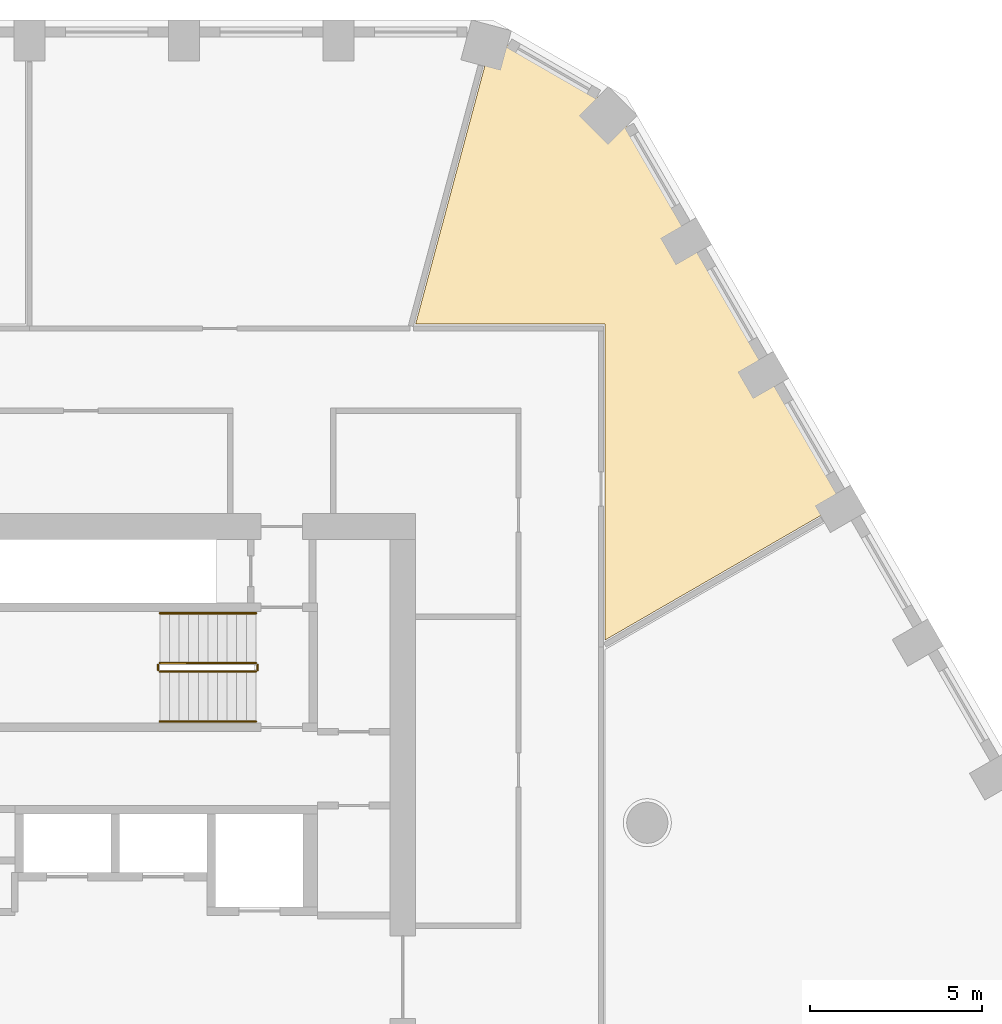
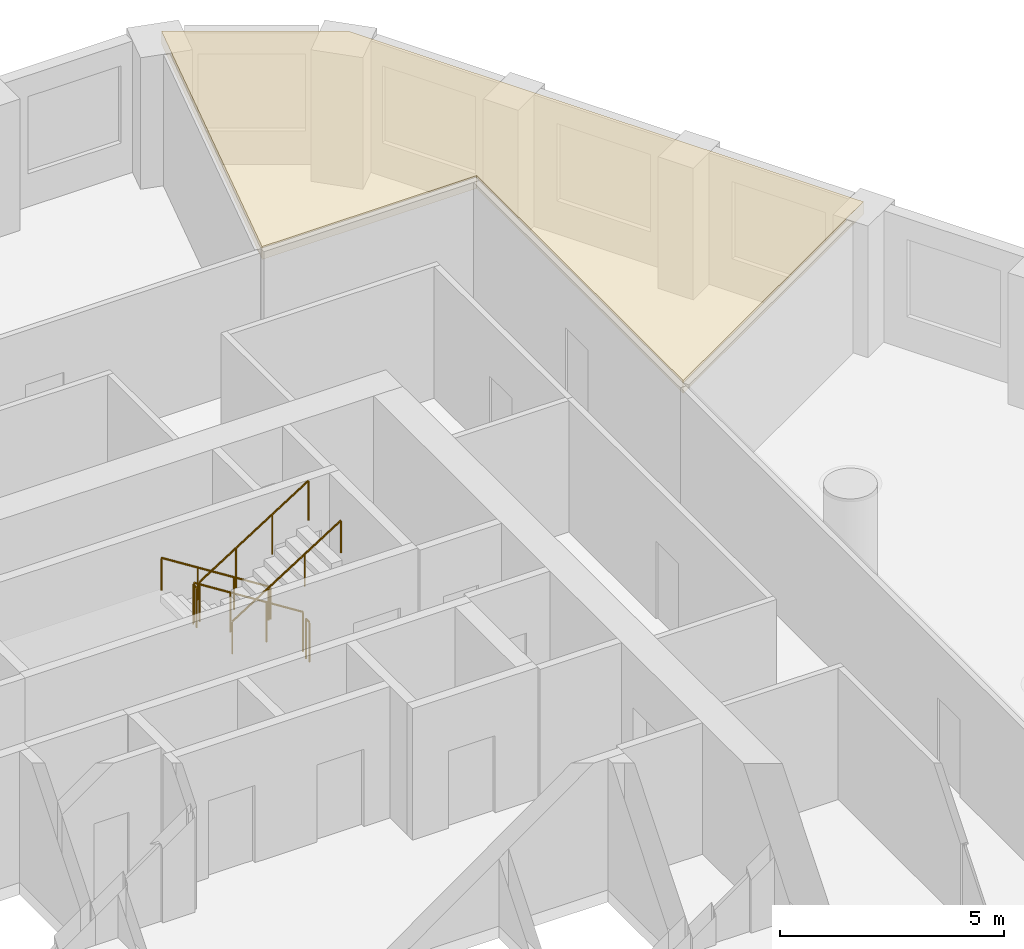
# One storey, part 14 of 14: 6 railings, 1 covering.
"""IFC4 building model written with IfcOpenShell, lengths in metres."""

from ifc_helpers import new_model, si_unit, direction, frame, origin, origin_2d, place, context, subcontext, project, spatial, polyline, circle, outline, extrude, material, layer, layer_set, type_object, element, save


model = new_model("IFC4")

# Units and contexts
model_context = context("Model", 3, precision=1e-05, world=origin(), true_north=direction((0.0, 1.0)))
body_context = subcontext(model_context, "Body", "Model", "MODEL_VIEW")
ifc_project = project(units=[si_unit("LENGTHUNIT", "METRE"), si_unit("AREAUNIT", "SQUARE_METRE"), si_unit("VOLUMEUNIT", "CUBIC_METRE"), si_unit("PLANEANGLEUNIT", "RADIAN"), si_unit("MASSUNIT", "GRAM", prefix="KILO")], contexts=[model_context])

# Site, building, storey
site_placement = place(None, origin())
site = spatial("IfcSite", under=ifc_project, at=site_placement, CompositionType="ELEMENT")
building_placement = place(site_placement, origin())
building = spatial("IfcBuilding", under=site, at=building_placement, Name="Dhurran Vertical Campus", CompositionType="ELEMENT")
storey_placement = place(building_placement, frame((0.0, 0.0, 136.5)))
storey = spatial("IfcBuildingStorey", under=building, at=storey_placement, Name="L33", CompositionType="ELEMENT", Elevation=136.5)

# Railings
ifc_material_1 = material(Name="Stainless steel balustrade", Category="steel")
railing_type_1 = type_object("IfcRailingType", Name="co-RL-GUARD-1100", PredefinedType="GUARDRAIL", material=ifc_material_1)
railing_1_placement = place(storey_placement, frame((11.10009765625, 9.14990234375, 0.17724609375)))
element("IfcRailing", 1, at=railing_1_placement, inside=storey, type_object=railing_type_1, Name="L33 ST2 stair guard 1", PredefinedType="GUARDRAIL", context=body_context, shape_type="SweptSolid", body=[
    extrude(circle(Radius=0.02392578125, at=origin_2d()), frame((0.0, 0.0, 1.076171875), z_axis=(-0.844908973607, 0.0, 0.534910110503), x_axis=(0.0, -1.0, 0.0)), (0.0, 0.0, 1.0), 3.31396484375),
    extrude(circle(Radius=0.02099609375, at=origin_2d()), origin(), (0.0, 0.0, 1.0), 1.052001953125),
    extrude(circle(Radius=0.02099609375, at=origin_2d()), frame((-0.933349609375, 0.0, 0.5908203125)), (0.0, 0.0, 1.0), 1.052001953125),
    extrude(circle(Radius=0.02099609375, at=origin_2d()), frame((-1.86669921875, 0.0, 1.181884765625)), (0.0, 0.0, 1.0), 1.052001953125),
    extrude(circle(Radius=0.02099609375, at=origin_2d()), frame((-2.800048828125, 0.0, 1.772705078125)), (0.0, 0.0, 1.0), 1.052001953125),
])
railing_2_placement = place(storey_placement, frame((8.25, 9.10009765625, 1.949951171875)))
element("IfcRailing", 2, at=railing_2_placement, inside=storey, type_object=railing_type_1, Name="L33 ST2 stair guard 2", PredefinedType="GUARDRAIL", context=body_context, shape_type="SweptSolid", body=[
    extrude(circle(Radius=0.02392578125, at=origin_2d()), frame((0.0, 0.0, 1.076171875), z_axis=(0.0, -1.0, 0.0), x_axis=(1.0, 0.0, 0.0)), (0.0, 0.0, 1.0), 0.150146484375),
    extrude(circle(Radius=0.02099609375, at=origin_2d()), origin(), (0.0, 0.0, 1.0), 1.052001953125),
    extrude(circle(Radius=0.02099609375, at=origin_2d()), frame((0.0, -0.150146484375, 0.0)), (0.0, 0.0, 1.0), 1.052001953125),
])
railing_3_placement = place(storey_placement, frame((8.300048828125, 8.89990234375, 2.127197265625)))
element("IfcRailing", 3, at=railing_3_placement, inside=storey, type_object=railing_type_1, Name="L33 ST2 stair guard 3", PredefinedType="GUARDRAIL", context=body_context, shape_type="SweptSolid", body=[
    extrude(circle(Radius=0.02392578125, at=origin_2d()), frame((0.0, 0.0, 1.076171875), z_axis=(0.844908973607, 0.0, 0.534910110503), x_axis=(0.0, 1.0, 0.0)), (0.0, 0.0, 1.0), 3.31396484375),
    extrude(circle(Radius=0.02099609375, at=origin_2d()), origin(), (0.0, 0.0, 1.0), 1.052001953125),
    extrude(circle(Radius=0.02099609375, at=origin_2d()), frame((0.933349609375, 0.0, 0.5908203125)), (0.0, 0.0, 1.0), 1.052001953125),
    extrude(circle(Radius=0.02099609375, at=origin_2d()), frame((1.86669921875, 0.0, 1.181884765625)), (0.0, 0.0, 1.0), 1.052001953125),
    extrude(circle(Radius=0.02099609375, at=origin_2d()), frame((2.800048828125, 0.0, 1.772705078125)), (0.0, 0.0, 1.0), 1.052001953125),
])
railing_4_placement = place(storey_placement, frame((11.14990234375, 9.10009765625, 0.0)))
element("IfcRailing", 4, at=railing_4_placement, inside=storey, type_object=railing_type_1, Name="L33 ST2 stair guard 4", PredefinedType="GUARDRAIL", context=body_context, shape_type="SweptSolid", body=[
    extrude(circle(Radius=0.02392578125, at=origin_2d()), frame((0.0, 0.0, 1.076171875), z_axis=(0.0, -1.0, 0.0), x_axis=(1.0, 0.0, 0.0)), (0.0, 0.0, 1.0), 0.150146484375),
    extrude(circle(Radius=0.02099609375, at=origin_2d()), origin(), (0.0, 0.0, 1.0), 1.052001953125),
    extrude(circle(Radius=0.02099609375, at=origin_2d()), frame((0.0, -0.150146484375, 0.0)), (0.0, 0.0, 1.0), 1.052001953125),
])
ifc_material_2 = material(Name="Stainless steel handrail", Category="steel")
railing_type_2 = type_object("IfcRailingType", Name="co-RL-HANDRAIL-900", PredefinedType="HANDRAIL", material=ifc_material_2)
railing_5_placement = place(storey_placement, frame((11.10009765625, 10.60009765625, 0.17724609375)))
element("IfcRailing", 5, at=railing_5_placement, inside=storey, type_object=railing_type_2, Name="L33 ST2 stair handrail 1", PredefinedType="HANDRAIL", context=body_context, shape_type="SweptSolid", body=[
    extrude(circle(Radius=0.02392578125, at=origin_2d()), frame((0.0, 0.0, 0.8759765625), z_axis=(-0.844908973607, 0.0, 0.534910110503), x_axis=(0.0, -1.0, 0.0)), (0.0, 0.0, 1.0), 3.31396484375),
    extrude(circle(Radius=0.02099609375, at=origin_2d()), origin(), (0.0, 0.0, 1.0), 0.851806640625),
    extrude(circle(Radius=0.02099609375, at=origin_2d()), frame((-0.933349609375, 0.0, 0.5908203125)), (0.0, 0.0, 1.0), 0.851806640625),
    extrude(circle(Radius=0.02099609375, at=origin_2d()), frame((-1.86669921875, 0.0, 1.181884765625)), (0.0, 0.0, 1.0), 0.851806640625),
    extrude(circle(Radius=0.02099609375, at=origin_2d()), frame((-2.800048828125, 0.0, 1.772705078125)), (0.0, 0.0, 1.0), 0.851806640625),
])
railing_6_placement = place(storey_placement, frame((8.300048828125, 7.449951171875, 2.127197265625)))
element("IfcRailing", 6, at=railing_6_placement, inside=storey, type_object=railing_type_2, Name="L33 ST2 stair handrail 2", PredefinedType="HANDRAIL", context=body_context, shape_type="SweptSolid", body=[
    extrude(circle(Radius=0.02392578125, at=origin_2d()), frame((0.0, 0.0, 0.8759765625), z_axis=(0.844908973607, 0.0, 0.534910110503), x_axis=(0.0, 1.0, 0.0)), (0.0, 0.0, 1.0), 3.31396484375),
    extrude(circle(Radius=0.02099609375, at=origin_2d()), origin(), (0.0, 0.0, 1.0), 0.851806640625),
    extrude(circle(Radius=0.02099609375, at=origin_2d()), frame((0.933349609375, 0.0, 0.5908203125)), (0.0, 0.0, 1.0), 0.851806640625),
    extrude(circle(Radius=0.02099609375, at=origin_2d()), frame((1.86669921875, 0.0, 1.181884765625)), (0.0, 0.0, 1.0), 0.851806640625),
    extrude(circle(Radius=0.02099609375, at=origin_2d()), frame((2.800048828125, 0.0, 1.772705078125)), (0.0, 0.0, 1.0), 0.851806640625),
])

# Covering
ifc_material_3 = material(Name="Mineral fibre ceiling tiles on suspended grid")
ifc_layer = layer(ifc_material_3, 0.35009765625)
ifc_layer_set = layer_set([ifc_layer], Name="Mineral fibre ceiling tiles on suspended grid")
covering_type = type_object("IfcCoveringType", Name="fl-CE-350 suspended ceiling", PredefinedType="CEILING", material=ifc_layer_set)
covering_placement = place(storey_placement, frame((0.0, 0.0, 3.22509765625)))
element("IfcCovering", 7, at=covering_placement, inside=storey, type_object=covering_type, Name="Ceiling 33-30", PredefinedType="CEILING", context=body_context, shape_type="SweptSolid", body=[
    extrude(outline(polyline([(21.27001953125, 19.02001953125), (15.7490234375, 19.02001953125), (17.9951171875, 27.40087890625), (21.589111328125, 25.324951171875), (28.222900390625, 13.8349609375), (21.27001953125, 9.821044921875), (21.27001953125, 19.02001953125)])), origin(), (0.0, 0.0, 1.0), 0.349853515625),
])

save(model, "model.ifc")
